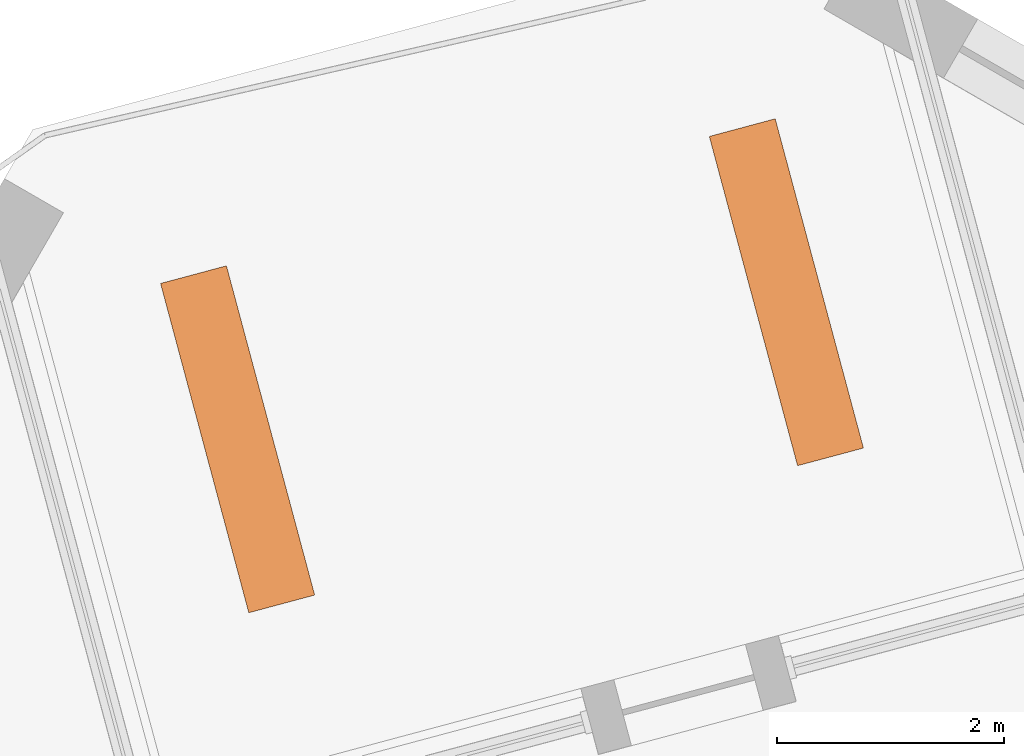
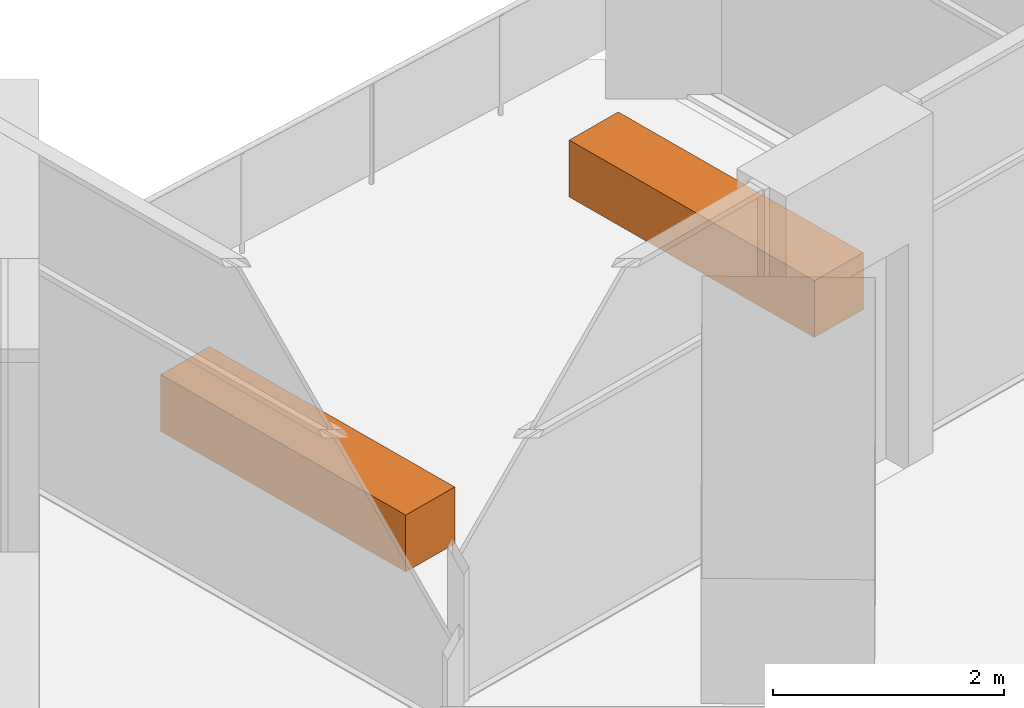
# One storey, part 13 of 13: 2 proxies.
"""IFC4 building model written with IfcOpenShell, lengths in metres."""

from ifc_helpers import new_model, si_unit, direction, frame, origin, origin_2d, place, context, subcontext, project, spatial, rectangle, extrude, element, save


model = new_model("IFC4")

# Units and contexts
model_context = context("Model", 3, precision=1e-05, world=origin(), true_north=direction((0.0, 1.0)))
body_context = subcontext(model_context, "Body", "Model", "MODEL_VIEW")
ifc_project = project(units=[si_unit("LENGTHUNIT", "METRE"), si_unit("AREAUNIT", "SQUARE_METRE"), si_unit("VOLUMEUNIT", "CUBIC_METRE"), si_unit("PLANEANGLEUNIT", "RADIAN"), si_unit("MASSUNIT", "GRAM", prefix="KILO")], contexts=[model_context])

# Site, building, storey
site_placement = place(None, origin())
site = spatial("IfcSite", under=ifc_project, at=site_placement, CompositionType="ELEMENT")
building_placement = place(site_placement, origin())
building = spatial("IfcBuilding", under=site, at=building_placement, Name="Dilmun Exchange Tower", CompositionType="ELEMENT")
storey_placement = place(building_placement, frame((0.0, 0.0, 262.89990234375)))
storey = spatial("IfcBuildingStorey", under=building, at=storey_placement, Name="L62", CompositionType="ELEMENT", Elevation=262.89990234375)

# Proxies
for number, where, z_axis, x_axis, name in (
    (1, (-1.392578125, 32.068359375, 0.0), (0.0, 0.0, 1.0), (-0.258819045103, 0.965925826289, 0.0), "PLANTER Desert shrub L62.1"),
    (2, (-6.22216796875, 30.7744140625, 0.0), (0.0, 0.0, 1.0), (-0.258819045103, 0.965925826289, 0.0), "PLANTER Desert shrub L62.2"),
):
    element("IfcBuildingElementProxy", number, at=place(storey_placement, frame(where, z_axis=z_axis, x_axis=x_axis)), inside=storey, Name=name, ObjectType="PLANTER", PredefinedType="USERDEFINED", context=body_context, shape_type="SweptSolid", body=[
        extrude(rectangle(XDim=3.0, YDim=0.60009765625, at=origin_2d()), origin(), (0.0, 0.0, 1.0), 0.60009765625),
    ])

save(model, "model.ifc")
